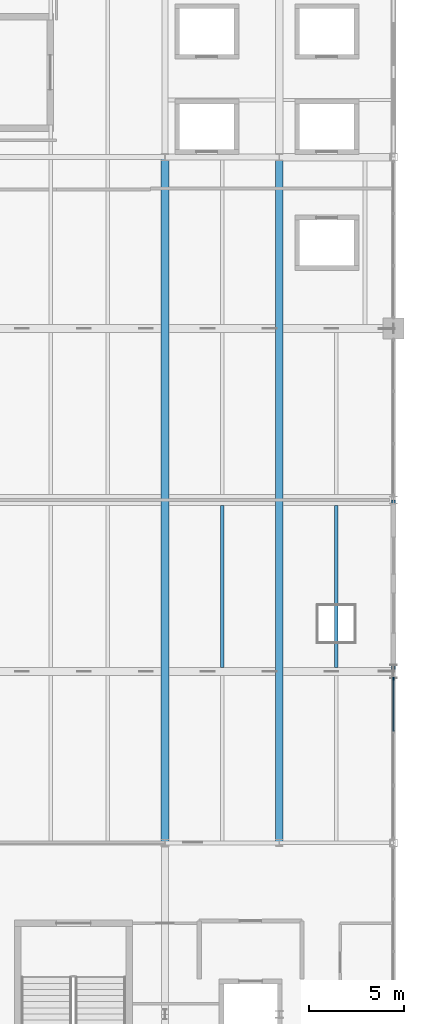
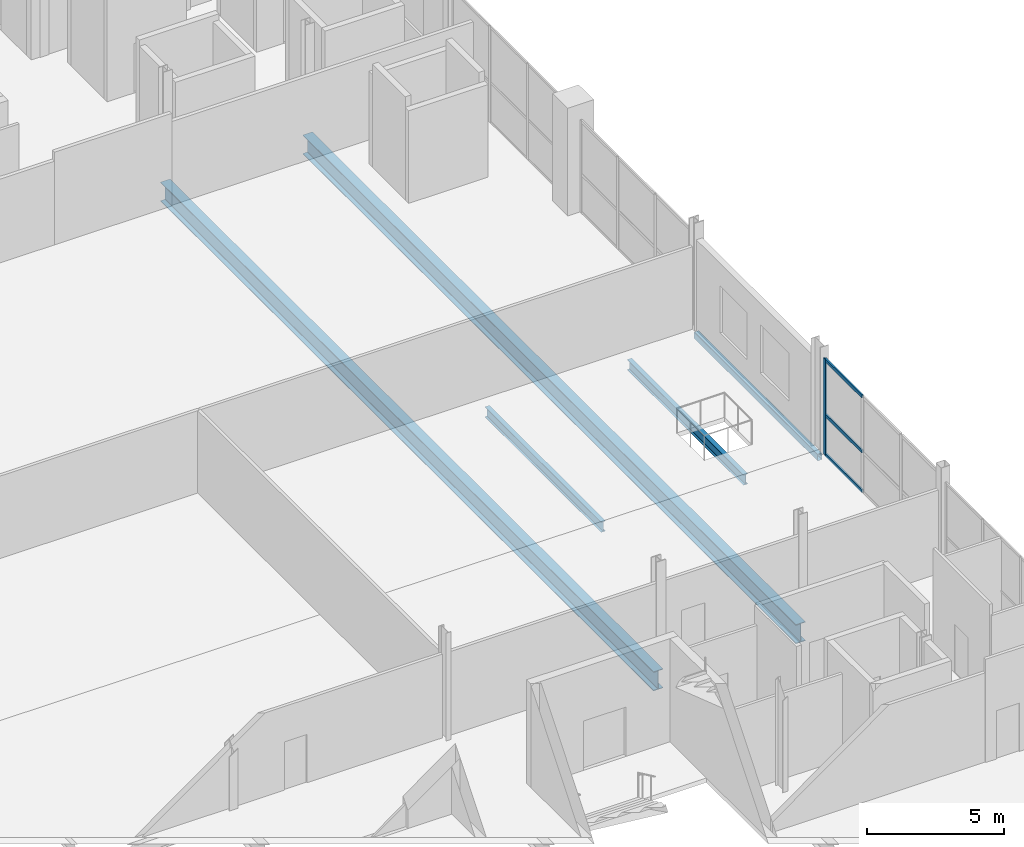
# One storey, part 22 of 69: 5 beams, 4 members, 1 element without a shape of its own.
"""IFC4 building model written with IfcOpenShell, lengths in metres."""

from ifc_helpers import new_model, si_unit, direction, frame, origin, origin_2d, place, context, subcontext, project, spatial, rectangle, hollow_rectangle, i_section, extrude, material, layer, layer_set, material_profile, profile_set, type_object, element, aggregate, save


model = new_model("IFC4")

# Units and contexts
model_context = context("Model", 3, precision=1e-05, world=origin(), true_north=direction((0.0, 1.0)))
body_context = subcontext(model_context, "Body", "Model", "MODEL_VIEW")
ifc_project = project(units=[si_unit("LENGTHUNIT", "METRE"), si_unit("AREAUNIT", "SQUARE_METRE"), si_unit("VOLUMEUNIT", "CUBIC_METRE"), si_unit("PLANEANGLEUNIT", "RADIAN"), si_unit("MASSUNIT", "GRAM", prefix="KILO")], contexts=[model_context])

# Site, building, storey
site_placement = place(None, origin())
site = spatial("IfcSite", under=ifc_project, at=site_placement, CompositionType="ELEMENT")
building_placement = place(site_placement, origin())
building = spatial("IfcBuilding", under=site, at=building_placement, Name="Qamarlyn Nura Convention Centre", CompositionType="ELEMENT")
storey_placement = place(building_placement, frame((0.0, 0.0, 15.60009765625)))
storey = spatial("IfcBuildingStorey", under=building, at=storey_placement, Name="L03", CompositionType="ELEMENT", Elevation=15.60009765625)

# Beams
ifc_material_1 = material(Name="Steel ASTM A992", Category="steel")
ifc_material_profile_1 = material_profile(ifc_material_1, i_section(OverallWidth=0.39990234375, OverallDepth=0.85498046875, WebThickness=0.018310546875, FlangeThickness=0.029296875, FilletRadius=0.02197265625, at=origin_2d()), Name="W840X299")
ifc_profile_set_1 = profile_set([ifc_material_profile_1], Name="Steel ASTM A992")
beam_type_1 = type_object("IfcBeamType", Name="BM-GIRD-840", PredefinedType="BEAM", material=ifc_profile_set_1)
for number, where, z_axis, x_axis, name in (
    (1, (180.0, 18.0, -0.627685546875), (0.0, 1.0, 0.0), (-1.0, 0.0, 0.0), "L03 girder 16 C-G"),
    (2, (186.0, 18.0, -0.627685546875), (0.0, 1.0, 0.0), (-1.0, 0.0, 0.0), "L03 girder 17 C-G"),
):
    element("IfcBeam", number, at=place(storey_placement, frame(where, z_axis=z_axis, x_axis=x_axis)), inside=storey, type_object=beam_type_1, Name=name, PredefinedType="BEAM", context=body_context, shape_type="SweptSolid", body=[
        extrude(i_section(OverallWidth=0.39990234375, OverallDepth=0.85498046875, WebThickness=0.018310546875, FlangeThickness=0.029296875, FilletRadius=0.02197265625, at=origin_2d()), origin(), (0.0, 0.0, 1.0), 36.0),
    ])
ifc_material_profile_2 = material_profile(ifc_material_1, i_section(OverallWidth=0.18994140625, OverallDepth=0.45703125, WebThickness=0.009033203125, FlangeThickness=0.014404296875, FilletRadius=0.012939453125, at=origin_2d()), Name="W460X74")
ifc_profile_set_2 = profile_set([ifc_material_profile_2], Name="Steel ASTM A992")
beam_type_2 = type_object("IfcBeamType", Name="BM-JOIST-460", PredefinedType="JOIST", material=ifc_profile_set_2)
for number, where, z_axis, x_axis, name in (
    (3, (183.0, 27.208984375, -0.4287109375), (0.0, 1.0, 0.0), (-1.0, 0.0, 0.0), "L03 secondary joist 16-17/D-E-43"),
    (4, (189.0, 27.208984375, -0.4287109375), (0.0, 1.0, 0.0), (-1.0, 0.0, 0.0), "L03 secondary joist 17-18/D-E-48"),
):
    element("IfcBeam", number, at=place(storey_placement, frame(where, z_axis=z_axis, x_axis=x_axis)), inside=storey, type_object=beam_type_2, Name=name, PredefinedType="JOIST", context=body_context, shape_type="SweptSolid", body=[
        extrude(i_section(OverallWidth=0.18994140625, OverallDepth=0.45703125, WebThickness=0.009033203125, FlangeThickness=0.014404296875, FilletRadius=0.012939453125, at=origin_2d()), origin(), (0.0, 0.0, 1.0), 8.490966796875),
    ])
ifc_material_2 = material(Name="Steel ASTM A500 Grade C", Category="steel")
ifc_material_profile_3 = material_profile(ifc_material_2, hollow_rectangle(XDim=0.199951171875, YDim=0.300048828125, WallThickness=0.012451171875, InnerFilletRadius=0.012451171875, OuterFilletRadius=0.02490234375, at=origin_2d()), Name="HSS300X200X12.5")
ifc_profile_set_3 = profile_set([ifc_material_profile_3], Name="Steel ASTM A500 Grade C")
beam_type_3 = type_object("IfcBeamType", Name="BM-SPAN-HSS", PredefinedType="SPANDREL", material=ifc_profile_set_3)
beam_placement = place(storey_placement, frame((192.0, 27.0, -0.35009765625), z_axis=(0.0, 1.0, 0.0), x_axis=(-1.0, 0.0, 0.0)))
element("IfcBeam", 5, at=beam_placement, inside=storey, type_object=beam_type_3, Name="L03 girder 18 D-E", PredefinedType="SPANDREL", context=body_context, shape_type="SweptSolid", body=[
    extrude(hollow_rectangle(XDim=0.199951171875, YDim=0.300048828125, WallThickness=0.012451171875, InnerFilletRadius=0.012451171875, OuterFilletRadius=0.02490234375, at=origin_2d()), origin(), (0.0, 0.0, 1.0), 9.0),
])

# Curtain wall, members
ifc_material_3 = material(Name="Double-silver low-E insulated glass", Category="glass")
ifc_layer = layer(ifc_material_3, 0.179931640625, Name="CW-UNIT-112")
ifc_layer_set = layer_set([ifc_layer], Name="Double-silver low-E insulated glass")
curtain_wall_type = type_object("IfcCurtainWallType", Name="CW-UNIT-112", PredefinedType="NOTDEFINED", material=ifc_layer_set)
curtain_wall_placement = place(storey_placement, origin())
curtain_wall = element("IfcCurtainWall", 6, at=curtain_wall_placement, inside=storey, type_object=curtain_wall_type, Name="L03 unitised curtain wall EAST-3-1", PredefinedType="NOTDEFINED")
ifc_material_4 = material(Name="Champagne-anodised marine aluminium", Category="aluminium")
ifc_material_profile_4 = material_profile(ifc_material_4, rectangle(XDim=0.070068359375, YDim=0.179931640625, at=origin_2d()), Name="ALU MULLION 70x180")
ifc_profile_set_4 = profile_set([ifc_material_profile_4], Name="Champagne-anodised marine aluminium")
member_type_1 = type_object("IfcMemberType", Name="CWM-180", PredefinedType="MULLION", material=ifc_profile_set_4)
member_1_placement = place(storey_placement, frame((192.0, 26.617431640625, 0.0), z_axis=(0.0, 0.0, 1.0), x_axis=(1.0, 0.0, 0.0)))
member_1 = element("IfcMember", 7, at=member_1_placement, type_object=member_type_1, Name="CW112 mullion 1", PredefinedType="MULLION", context=body_context, shape_type="SweptSolid", body=[
    extrude(rectangle(XDim=0.070068359375, YDim=0.179931640625, at=origin_2d()), origin(), (0.0, 0.0, 1.0), 4.284912109375),
])
ifc_material_profile_5 = material_profile(ifc_material_4, rectangle(XDim=0.070068359375, YDim=0.139892578125, at=origin_2d()), Name="ALU TRANSOM 70x140")
ifc_profile_set_5 = profile_set([ifc_material_profile_5], Name="Champagne-anodised marine aluminium")
member_type_2 = type_object("IfcMemberType", Name="CWT-140", PredefinedType="USERDEFINED", material=ifc_profile_set_5)
member_2_placement = place(storey_placement, frame((192.0, 26.58251953125, 0.034912109375), z_axis=(0.0, -1.0, 0.0), x_axis=(1.0, 0.0, 0.0)))
member_2 = element("IfcMember", 8, at=member_2_placement, type_object=member_type_2, Name="CW112 transom 1.1", ObjectType="TRANSOM", PredefinedType="USERDEFINED", context=body_context, shape_type="SweptSolid", body=[
    extrude(rectangle(XDim=0.070068359375, YDim=0.139892578125, at=origin_2d()), origin(), (0.0, 0.0, 1.0), 2.71240234375),
])
member_3_placement = place(storey_placement, frame((192.0, 26.58251953125, 1.7998046875), z_axis=(0.0, -1.0, 0.0), x_axis=(1.0, 0.0, 0.0)))
member_3 = element("IfcMember", 9, at=member_3_placement, type_object=member_type_2, Name="CW112 transom 1.2", ObjectType="TRANSOM", PredefinedType="USERDEFINED", context=body_context, shape_type="SweptSolid", body=[
    extrude(rectangle(XDim=0.070068359375, YDim=0.139892578125, at=origin_2d()), origin(), (0.0, 0.0, 1.0), 2.71240234375),
])
member_4_placement = place(storey_placement, frame((192.0, 26.58251953125, 4.25), z_axis=(0.0, -1.0, 0.0), x_axis=(1.0, 0.0, 0.0)))
member_4 = element("IfcMember", 10, at=member_4_placement, type_object=member_type_2, Name="CW112 transom 1.3", ObjectType="TRANSOM", PredefinedType="USERDEFINED", context=body_context, shape_type="SweptSolid", body=[
    extrude(rectangle(XDim=0.070068359375, YDim=0.139892578125, at=origin_2d()), origin(), (0.0, 0.0, 1.0), 2.71240234375),
])
aggregate(curtain_wall, [member_1, member_2, member_3, member_4])

save(model, "model.ifc")
